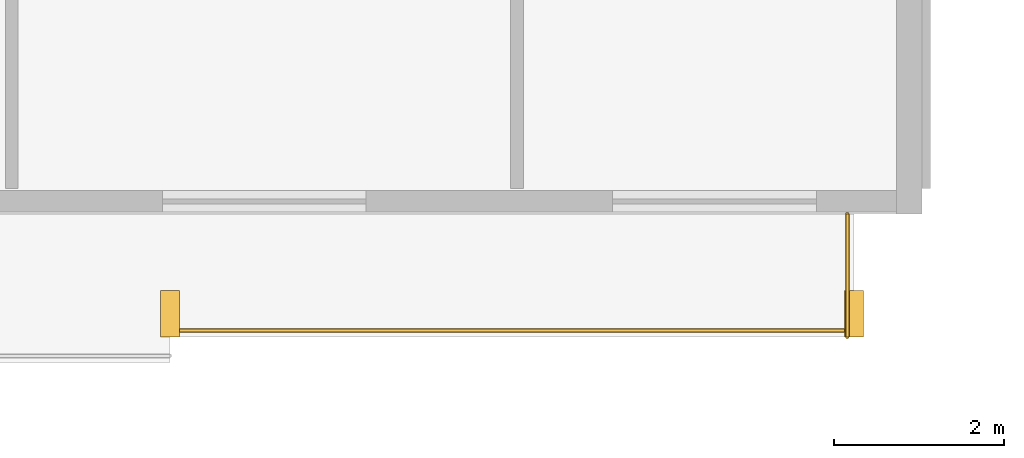
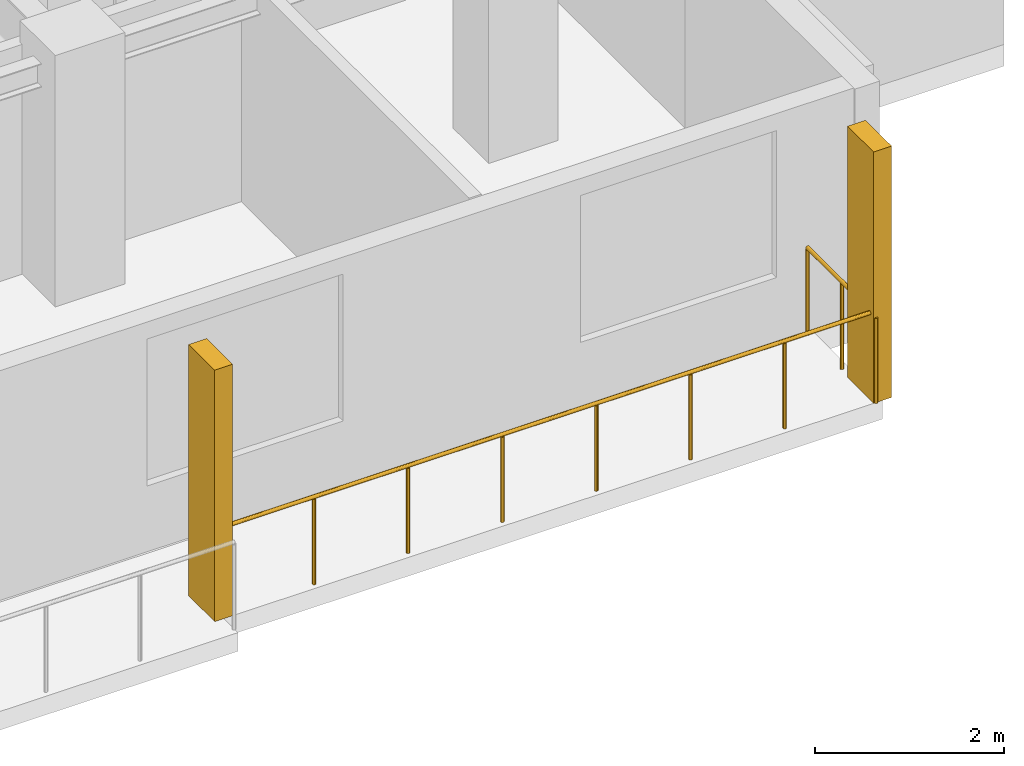
# One storey, part 19 of 21: 2 railings, 2 shading devices.
"""IFC4 building model written with IfcOpenShell, lengths in metres."""

from ifc_helpers import new_model, si_unit, direction, frame, origin, origin_2d, place, context, subcontext, project, spatial, rectangle, circle, extrude, material, type_object, element, save


model = new_model("IFC4")

# Units and contexts
model_context = context("Model", 3, precision=1e-05, world=origin(), true_north=direction((0.0, 1.0)))
body_context = subcontext(model_context, "Body", "Model", "MODEL_VIEW")
ifc_project = project(units=[si_unit("LENGTHUNIT", "METRE"), si_unit("AREAUNIT", "SQUARE_METRE"), si_unit("VOLUMEUNIT", "CUBIC_METRE"), si_unit("PLANEANGLEUNIT", "RADIAN"), si_unit("MASSUNIT", "GRAM", prefix="KILO")], contexts=[model_context])

# Site, building, storey
site_placement = place(None, origin())
site = spatial("IfcSite", under=ifc_project, at=site_placement, CompositionType="ELEMENT")
building_placement = place(site_placement, origin())
building = spatial("IfcBuilding", under=site, at=building_placement, Name="Korimba Cascade Residences", CompositionType="ELEMENT")
storey_placement = place(building_placement, frame((0.0, 0.0, 116.550048828125)))
storey = spatial("IfcBuildingStorey", under=building, at=storey_placement, Name="L33", CompositionType="ELEMENT", Elevation=116.550048828125)

# Railings
ifc_material_1 = material(Name="Laminated Glass and Bronze Balustrade", Category="glass")
railing_type = type_object("IfcRailingType", Name="RLG-LOG-1150", PredefinedType="BALUSTRADE", material=ifc_material_1)
railing_1_placement = place(storey_placement, frame((121.843017578125, -10.3701171875, 0.0)))
element("IfcRailing", 1, at=railing_1_placement, inside=storey, type_object=railing_type, Name="L33 Perimeter Guardrail RLG-L33-T2-LOG-07", PredefinedType="BALUSTRADE", context=body_context, shape_type="SweptSolid", body=[
    extrude(circle(Radius=0.02392578125, at=origin_2d()), frame((0.0, 0.0, 1.1259765625), z_axis=(1.0, 0.0, 0.0), x_axis=(0.0, 1.0, 0.0)), (0.0, 0.0, 1.0), 8.056884765625),
    extrude(circle(Radius=0.02099609375, at=origin_2d()), origin(), (0.0, 0.0, 1.0), 1.101806640625),
    extrude(circle(Radius=0.02099609375, at=origin_2d()), frame((1.15087890625, 0.0, 0.0)), (0.0, 0.0, 1.0), 1.101806640625),
    extrude(circle(Radius=0.02099609375, at=origin_2d()), frame((2.302001953125, 0.0, 0.0)), (0.0, 0.0, 1.0), 1.101806640625),
    extrude(circle(Radius=0.02099609375, at=origin_2d()), frame((3.452880859375, 0.0, 0.0)), (0.0, 0.0, 1.0), 1.101806640625),
    extrude(circle(Radius=0.02099609375, at=origin_2d()), frame((4.60400390625, 0.0, 0.0)), (0.0, 0.0, 1.0), 1.101806640625),
    extrude(circle(Radius=0.02099609375, at=origin_2d()), frame((5.7548828125, 0.0, 0.0)), (0.0, 0.0, 1.0), 1.101806640625),
    extrude(circle(Radius=0.02099609375, at=origin_2d()), frame((6.906005859375, 0.0, 0.0)), (0.0, 0.0, 1.0), 1.101806640625),
    extrude(circle(Radius=0.02099609375, at=origin_2d()), frame((8.056884765625, 0.0, 0.0)), (0.0, 0.0, 1.0), 1.101806640625),
])
railing_2_placement = place(storey_placement, frame((129.820068359375, -10.449951171875, 0.0)))
element("IfcRailing", 2, at=railing_2_placement, inside=storey, type_object=railing_type, Name="L33 Perimeter Guardrail RLG-L33-T2-LOG-08", PredefinedType="BALUSTRADE", context=body_context, shape_type="SweptSolid", body=[
    extrude(circle(Radius=0.02392578125, at=origin_2d()), frame((0.0, 0.0, 1.1259765625), z_axis=(0.0, 1.0, 0.0), x_axis=(-1.0, 0.0, 0.0)), (0.0, 0.0, 1.0), 1.449951171875),
    extrude(circle(Radius=0.02099609375, at=origin_2d()), origin(), (0.0, 0.0, 1.0), 1.101806640625),
    extrude(circle(Radius=0.02099609375, at=origin_2d()), frame((0.0, 0.72509765625, 0.0)), (0.0, 0.0, 1.0), 1.101806640625),
    extrude(circle(Radius=0.02099609375, at=origin_2d()), frame((0.0, 1.449951171875, 0.0)), (0.0, 0.0, 1.0), 1.101806640625),
])

# Shading devices
ifc_material_2 = material(Name="Honed Sandstone Precast Fin", Category="masonry")
shading_device_type = type_object("IfcShadingDeviceType", Name="SHD-FIN-550", PredefinedType="USERDEFINED", material=ifc_material_2)
for number, where, z_axis, x_axis, name in (
    (3, (121.843017578125, -10.175048828125, 0.0), (0.0, 0.0, 1.0), (1.0, 0.0, 0.0), "L33 T2 Warm-Stone Loggia Fin 7"),
    (4, (129.89990234375, -10.175048828125, 0.0), (0.0, 0.0, 1.0), (1.0, 0.0, 0.0), "L33 T2 Warm-Stone Loggia Fin 8"),
):
    element("IfcShadingDevice", number, at=place(storey_placement, frame(where, z_axis=z_axis, x_axis=x_axis)), inside=storey, type_object=shading_device_type, Name=name, ObjectType="FIN", PredefinedType="USERDEFINED", context=body_context, shape_type="SweptSolid", body=[
        extrude(rectangle(XDim=0.219970703125, YDim=0.550048828125, at=origin_2d()), origin(), (0.0, 0.0, 1.0), 3.25),
    ])

save(model, "model.ifc")
